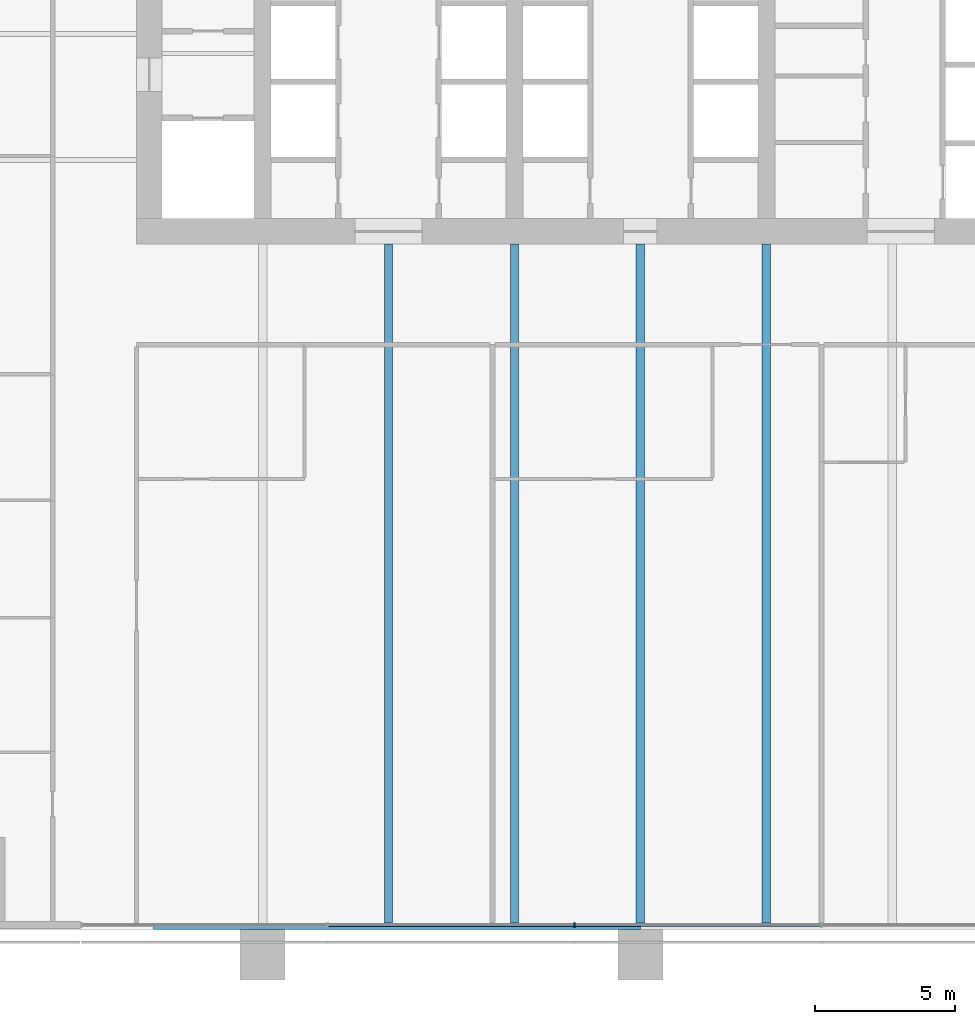
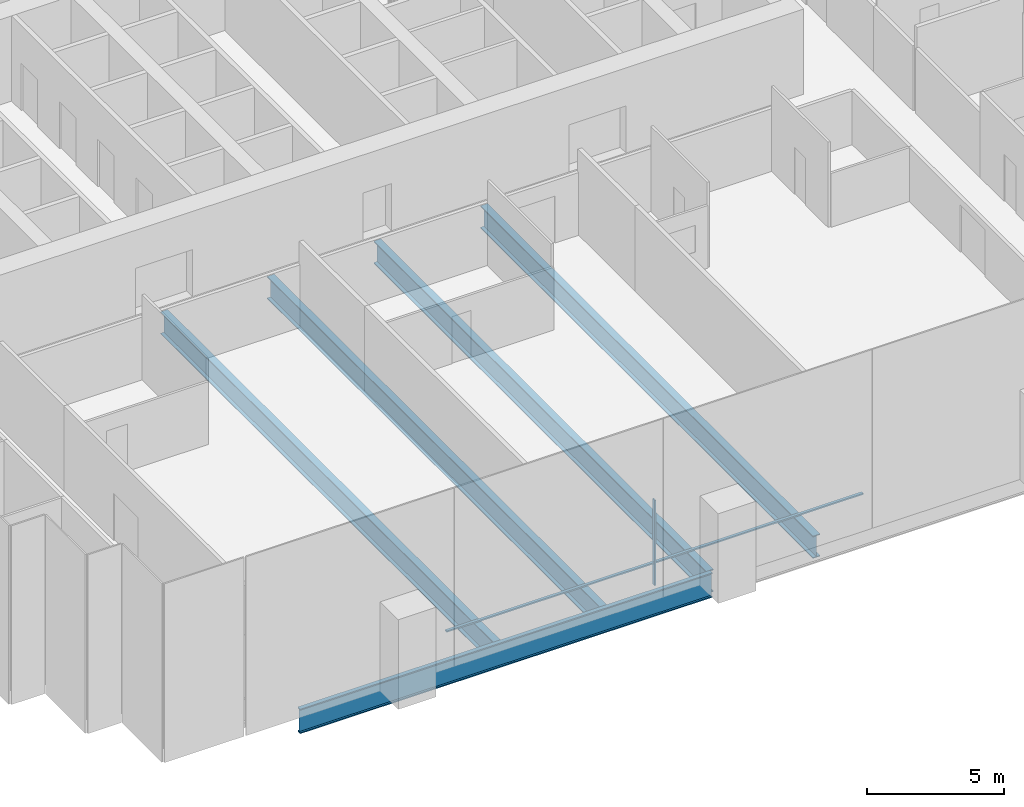
# One storey, part 3 of 19: 5 beams, 3 members, 1 element without a shape of its own.
"""IFC4 building model written with IfcOpenShell, lengths in metres."""

from ifc_helpers import new_model, si_unit, direction, frame, origin, origin_2d, place, context, subcontext, project, spatial, rectangle, i_section, extrude, material, material_profile, profile_set, type_object, element, aggregate, save


model = new_model("IFC4")

# Units and contexts
model_context = context("Model", 3, precision=1e-05, world=origin(), true_north=direction((0.0, 1.0)))
body_context = subcontext(model_context, "Body", "Model", "MODEL_VIEW")
ifc_project = project(units=[si_unit("LENGTHUNIT", "METRE"), si_unit("AREAUNIT", "SQUARE_METRE"), si_unit("VOLUMEUNIT", "CUBIC_METRE"), si_unit("PLANEANGLEUNIT", "RADIAN"), si_unit("MASSUNIT", "GRAM", prefix="KILO")], contexts=[model_context])

# Site, building, storey
site_placement = place(None, origin())
site = spatial("IfcSite", under=ifc_project, at=site_placement, CompositionType="ELEMENT")
building_placement = place(site_placement, origin())
building = spatial("IfcBuilding", under=site, at=building_placement, Name="Rattan Terrace Tower", CompositionType="ELEMENT")
storey_placement = place(building_placement, frame((0.0, 0.0, 103.699951171875)))
storey = spatial("IfcBuildingStorey", under=building, at=storey_placement, Name="L23", CompositionType="ELEMENT", Elevation=103.699951171875)

# Curtain wall, members
ifc_material_1 = material(Name="Aluminium and glass", Category="aluminium")
curtain_wall_type = type_object("IfcCurtainWallType", Name="Facade Unitised Curtain Wall", PredefinedType="NOTDEFINED", material=ifc_material_1)
curtain_wall_placement = place(storey_placement, origin())
curtain_wall = element("IfcCurtainWall", 1, at=curtain_wall_placement, inside=storey, type_object=curtain_wall_type, Name="Curtain wall L23-4", PredefinedType="NOTDEFINED")
ifc_material_2 = material(Name="Aluminium", Category="aluminium")
ifc_material_profile_1 = material_profile(ifc_material_2, rectangle(XDim=0.06005859375, YDim=0.159912109375, at=origin_2d()), Name="Aluminium 60x160")
ifc_profile_set_1 = profile_set([ifc_material_profile_1], Name="Aluminium")
member_type_1 = type_object("IfcMemberType", Name="Facade CW Mullion 60x160", PredefinedType="MULLION", material=ifc_profile_set_1)
member_1_placement = place(storey_placement, frame((-2.35400390625, -31.830078125, 0.0), z_axis=(0.0, 0.0, 1.0), x_axis=(1.0, 0.0, 0.0)))
member_1 = element("IfcMember", 2, at=member_1_placement, type_object=member_type_1, Name="Mullion cwl-L23-004.3", PredefinedType="MULLION", context=body_context, shape_type="SweptSolid", body=[
    extrude(rectangle(XDim=0.06005859375, YDim=0.159912109375, at=origin_2d()), origin(), (0.0, 0.0, 1.0), 3.800048828125),
])
ifc_material_3 = material(Name="Aluminium", Category="aluminium")
ifc_material_profile_2 = material_profile(ifc_material_3, rectangle(XDim=0.1201171875, YDim=0.06005859375, at=origin_2d()), Name="Aluminium 120x60")
ifc_profile_set_2 = profile_set([ifc_material_profile_2], Name="Aluminium")
member_type_2 = type_object("IfcMemberType", Name="Facade CW Transom 120x60", PredefinedType="USERDEFINED", material=ifc_profile_set_2)
member_2_placement = place(storey_placement, frame((-11.14697265625, -31.830078125, 1.0), z_axis=(1.0, 0.0, 0.0), x_axis=(0.0, 1.0, 0.0)))
member_2 = element("IfcMember", 3, at=member_2_placement, type_object=member_type_2, Name="Transom cwl-L23-004.2", ObjectType="TRANSOM", PredefinedType="USERDEFINED", context=body_context, shape_type="SweptSolid", body=[
    extrude(rectangle(XDim=0.1201171875, YDim=0.06005859375, at=origin_2d()), origin(), (0.0, 0.0, 1.0), 8.762939453125),
])
member_3_placement = place(storey_placement, frame((-2.323974609375, -31.830078125, 1.0), z_axis=(1.0, 0.0, 0.0), x_axis=(0.0, 1.0, 0.0)))
member_3 = element("IfcMember", 4, at=member_3_placement, type_object=member_type_2, Name="Transom cwl-L23-004.3", ObjectType="TRANSOM", PredefinedType="USERDEFINED", context=body_context, shape_type="SweptSolid", body=[
    extrude(rectangle(XDim=0.1201171875, YDim=0.06005859375, at=origin_2d()), origin(), (0.0, 0.0, 1.0), 8.762939453125),
])
aggregate(curtain_wall, [member_1, member_2, member_3])

# Beams
ifc_material_4 = material(Name="Steel S460", Category="steel")
ifc_material_profile_3 = material_profile(ifc_material_4, i_section(OverallWidth=0.179931640625, OverallDepth=1.10009765625, WebThickness=0.01611328125, FlangeThickness=0.050048828125, at=origin_2d()), Name="PG 1100x180-16-50")
ifc_profile_set_3 = profile_set([ifc_material_profile_3], Name="Steel S460")
beam_type_1 = type_object("IfcBeamType", Name="Frame edge girder PG 1100x180-16-50", PredefinedType="SPANDREL", material=ifc_profile_set_3)
beam_placement = place(storey_placement, frame((-17.39990234375, -31.909912109375, -0.75), z_axis=(1.0, 0.0, 0.0), x_axis=(0.0, 1.0, 0.0)))
element("IfcBeam", 5, at=beam_placement, inside=storey, type_object=beam_type_1, Name="gdr-L23-001", PredefinedType="SPANDREL", context=body_context, shape_type="SweptSolid", body=[
    extrude(i_section(OverallWidth=0.179931640625, OverallDepth=1.10009765625, WebThickness=0.01611328125, FlangeThickness=0.050048828125, at=origin_2d()), origin(), (0.0, 0.0, 1.0), 17.39990234375),
])
ifc_material_5 = material(Name="Steel S460", Category="steel")
ifc_material_profile_4 = material_profile(ifc_material_5, i_section(OverallWidth=0.300048828125, OverallDepth=1.0, WebThickness=0.013916015625, FlangeThickness=0.0400390625, at=origin_2d()), Name="PG 1000x300-14-40")
ifc_profile_set_4 = profile_set([ifc_material_profile_4], Name="Steel S460")
beam_type_2 = type_object("IfcBeamType", Name="Frame floor beam PG 1000x300-14-40", PredefinedType="JOIST", material=ifc_profile_set_4)
for number, where, z_axis, x_axis, name in (
    (6, (-9.0, -31.820068359375, -0.699951171875), (0.0, 1.0, 0.0), (-1.0, 0.0, 0.0), "bm-L23-004"),
    (7, (-4.5, -31.820068359375, -0.699951171875), (0.0, 1.0, 0.0), (-1.0, 0.0, 0.0), "bm-L23-005"),
    (8, (0.0, -31.820068359375, -0.699951171875), (0.0, 1.0, 0.0), (-1.0, 0.0, 0.0), "bm-L23-006"),
    (9, (4.5, -31.820068359375, -0.699951171875), (0.0, 1.0, 0.0), (-1.0, 0.0, 0.0), "bm-L23-007"),
):
    element("IfcBeam", number, at=place(storey_placement, frame(where, z_axis=z_axis, x_axis=x_axis)), inside=storey, type_object=beam_type_2, Name=name, PredefinedType="JOIST", context=body_context, shape_type="SweptSolid", body=[
        extrude(i_section(OverallWidth=0.300048828125, OverallDepth=1.0, WebThickness=0.013916015625, FlangeThickness=0.0400390625, at=origin_2d()), origin(), (0.0, 0.0, 1.0), 24.320068359375),
    ])

save(model, "model.ifc")
